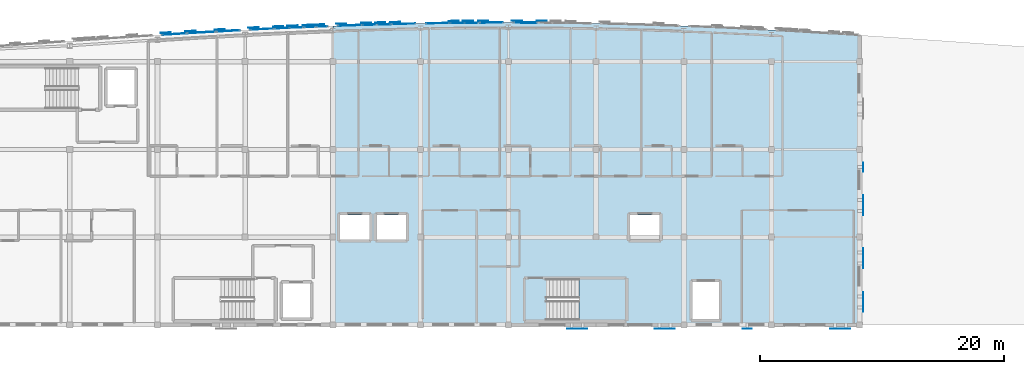
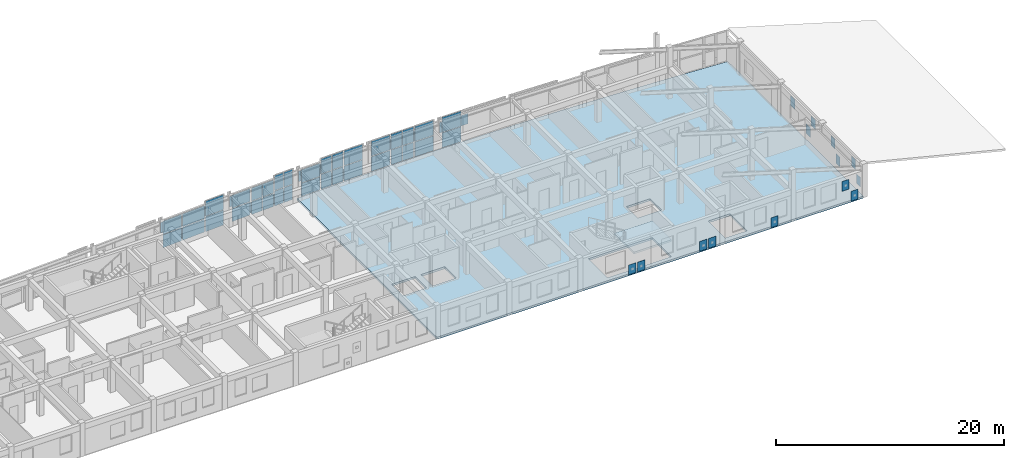
# One storey, part 23 of 34: 65 plates, 2 slabs, 14 elements without a shape of their own.
"""IFC4 building model written with IfcOpenShell, lengths in metres."""

from ifc_helpers import new_model, si_unit, direction, frame, origin, origin_2d, place, context, subcontext, project, spatial, polyline, rectangle, outline, extrude, material, layer, layer_set, type_object, element, aggregate, save


model = new_model("IFC4")

# Units and contexts
model_context = context("Model", 3, precision=1e-05, world=origin(), true_north=direction((0.0, 1.0)))
body_context = subcontext(model_context, "Body", "Model", "MODEL_VIEW")
ifc_project = project(units=[si_unit("LENGTHUNIT", "METRE"), si_unit("AREAUNIT", "SQUARE_METRE"), si_unit("VOLUMEUNIT", "CUBIC_METRE"), si_unit("PLANEANGLEUNIT", "RADIAN"), si_unit("MASSUNIT", "GRAM", prefix="KILO")], contexts=[model_context])

# Site, building, storey
site_placement = place(None, origin())
site = spatial("IfcSite", under=ifc_project, at=site_placement, CompositionType="ELEMENT")
building_placement = place(site_placement, origin())
building = spatial("IfcBuilding", under=site, at=building_placement, Name="Carrowvane Square Congress Hotel", CompositionType="ELEMENT")
storey_placement = place(building_placement, frame((0.0, 0.0, 40.800048828125)))
storey = spatial("IfcBuildingStorey", under=building, at=storey_placement, Name="L10", CompositionType="ELEMENT", Elevation=40.800048828125)

# Curtain wall, plates
ifc_material_1 = material(Name="Anodised aluminium", Category="aluminium")
ifc_layer_1 = layer(ifc_material_1, 0.221923828125)
ifc_layer_set_1 = layer_set([ifc_layer_1], Name="Anodised aluminium")
curtain_wall_type_1 = type_object("IfcCurtainWallType", Name="CW-SYS-6", PredefinedType="NOTDEFINED", material=ifc_layer_set_1)
curtain_wall_1_placement = place(storey_placement, origin())
curtain_wall_1 = element("IfcCurtainWall", 1, at=curtain_wall_1_placement, inside=storey, type_object=curtain_wall_type_1, Name="L10 unitised curtain wall 565", PredefinedType="NOTDEFINED")
ifc_material_2 = material(Name="Double-glazed low-E glass", Category="glass")
ifc_layer_2 = layer(ifc_material_2, 0.028076171875)
ifc_layer_set_2 = layer_set([ifc_layer_2], Name="Double-glazed low-E glass")
plate_type_1 = type_object("IfcPlateType", Name="CW-PAN-1", PredefinedType="CURTAIN_PANEL", material=ifc_layer_set_2)
plate_1_placement = place(storey_placement, frame((77.7822265625, 116.067138671875, 0.06982421875), z_axis=(0.0, 0.0, 1.0), x_axis=(0.998732955299, 0.050323791596, 0.0)))
plate_1 = element("IfcPlate", 2, at=plate_1_placement, type_object=plate_type_1, Name="CW-6 panel 1.1", PredefinedType="CURTAIN_PANEL", context=body_context, shape_type="SweptSolid", body=[
    extrude(rectangle(XDim=1.89794921875, YDim=0.028076171875, at=origin_2d()), origin(), (0.0, 0.0, 1.0), 1.372802734375),
])
plate_2_placement = place(storey_placement, frame((77.7822265625, 116.067138671875, 1.5126953125), z_axis=(0.0, 0.0, 1.0), x_axis=(0.998732955299, 0.050323791596, 0.0)))
plate_2 = element("IfcPlate", 3, at=plate_2_placement, type_object=plate_type_1, Name="CW-6 panel 1.2", PredefinedType="CURTAIN_PANEL", context=body_context, shape_type="SweptSolid", body=[
    extrude(rectangle(XDim=1.89794921875, YDim=0.028076171875, at=origin_2d()), origin(), (0.0, 0.0, 1.0), 1.372802734375),
])
aggregate(curtain_wall_1, [plate_1, plate_2])

ifc_material_3 = material(Name="Anodised aluminium", Category="aluminium")
ifc_layer_3 = layer(ifc_material_3, 0.18603515625)
ifc_layer_set_3 = layer_set([ifc_layer_3], Name="Anodised aluminium")
curtain_wall_type_2 = type_object("IfcCurtainWallType", Name="CW-SYS-3", PredefinedType="NOTDEFINED", material=ifc_layer_set_3)
curtain_wall_2_placement = place(storey_placement, origin())
curtain_wall_2 = element("IfcCurtainWall", 4, at=curtain_wall_2_placement, inside=storey, type_object=curtain_wall_type_2, Name="L10 unitised curtain wall 570", PredefinedType="NOTDEFINED")
plate_3_placement = place(storey_placement, frame((89.40380859375, 116.498291015625, 0.059814453125), z_axis=(0.0, 0.0, 1.0), x_axis=(0.99974644475, 0.022517686606, 0.0)))
plate_3 = element("IfcPlate", 5, at=plate_3_placement, type_object=plate_type_1, Name="CW-3 panel 1.1", PredefinedType="CURTAIN_PANEL", context=body_context, shape_type="SweptSolid", body=[
    extrude(rectangle(XDim=1.88818359375, YDim=0.028076171875, at=origin_2d()), origin(), (0.0, 0.0, 1.0), 1.60009765625),
])
plate_4_placement = place(storey_placement, frame((89.40380859375, 116.498291015625, 1.719970703125), z_axis=(0.0, 0.0, 1.0), x_axis=(0.99974644475, 0.022517686606, 0.0)))
plate_4 = element("IfcPlate", 6, at=plate_4_placement, type_object=plate_type_1, Name="CW-3 panel 1.2", PredefinedType="CURTAIN_PANEL", context=body_context, shape_type="SweptSolid", body=[
    extrude(rectangle(XDim=1.88818359375, YDim=0.028076171875, at=origin_2d()), origin(), (0.0, 0.0, 1.0), 1.60009765625),
])
aggregate(curtain_wall_2, [plate_3, plate_4])

ifc_material_4 = material(Name="Anodised aluminium", Category="aluminium")
ifc_layer_4 = layer(ifc_material_4, 0.23388671875)
ifc_layer_set_4 = layer_set([ifc_layer_4], Name="Anodised aluminium")
curtain_wall_type_3 = type_object("IfcCurtainWallType", Name="CW-SYS-7", PredefinedType="NOTDEFINED", material=ifc_layer_set_4)
curtain_wall_3_placement = place(storey_placement, origin())
curtain_wall_3 = element("IfcCurtainWall", 7, at=curtain_wall_3_placement, inside=storey, type_object=curtain_wall_type_3, Name="L10 unitised curtain wall 566", PredefinedType="NOTDEFINED")
ifc_material_5 = material(Name="Double-glazed low-E glass", Category="glass")
ifc_layer_5 = layer(ifc_material_5, 0.031982421875)
ifc_layer_set_5 = layer_set([ifc_layer_5], Name="Double-glazed low-E glass")
plate_type_2 = type_object("IfcPlateType", Name="CW-PAN-2", PredefinedType="CURTAIN_PANEL", material=ifc_layer_set_5)
plate_5_placement = place(storey_placement, frame((79.4150390625, 116.146484375, 0.06005859375), z_axis=(0.0, 0.0, 1.0), x_axis=(0.998968385726, 0.045411059449, 0.0)))
plate_5 = element("IfcPlate", 8, at=plate_5_placement, type_object=plate_type_2, Name="CW-7 panel 1.1", PredefinedType="CURTAIN_PANEL", context=body_context, shape_type="SweptSolid", body=[
    extrude(rectangle(XDim=1.111328125, YDim=0.031982421875, at=origin_2d()), origin(), (0.0, 0.0, 1.0), 1.3876953125),
])
plate_6_placement = place(storey_placement, frame((79.4150390625, 116.146484375, 1.5078125), z_axis=(0.0, 0.0, 1.0), x_axis=(0.998968385726, 0.045411059449, 0.0)))
plate_6 = element("IfcPlate", 9, at=plate_6_placement, type_object=plate_type_2, Name="CW-7 panel 1.2", PredefinedType="CURTAIN_PANEL", context=body_context, shape_type="SweptSolid", body=[
    extrude(rectangle(XDim=1.111328125, YDim=0.031982421875, at=origin_2d()), origin(), (0.0, 0.0, 1.0), 1.3876953125),
])
plate_7_placement = place(storey_placement, frame((80.5849609375, 116.19970703125, 0.06005859375), z_axis=(0.0, 0.0, 1.0), x_axis=(0.998968385726, 0.045411059449, 0.0)))
plate_7 = element("IfcPlate", 10, at=plate_7_placement, type_object=plate_type_2, Name="CW-7 panel 2.1", PredefinedType="CURTAIN_PANEL", context=body_context, shape_type="SweptSolid", body=[
    extrude(rectangle(XDim=1.111328125, YDim=0.031982421875, at=origin_2d()), origin(), (0.0, 0.0, 1.0), 1.3876953125),
])
plate_8_placement = place(storey_placement, frame((80.5849609375, 116.19970703125, 1.5078125), z_axis=(0.0, 0.0, 1.0), x_axis=(0.998968385726, 0.045411059449, 0.0)))
plate_8 = element("IfcPlate", 11, at=plate_8_placement, type_object=plate_type_2, Name="CW-7 panel 2.2", PredefinedType="CURTAIN_PANEL", context=body_context, shape_type="SweptSolid", body=[
    extrude(rectangle(XDim=1.111328125, YDim=0.031982421875, at=origin_2d()), origin(), (0.0, 0.0, 1.0), 1.3876953125),
])
aggregate(curtain_wall_3, [plate_5, plate_6, plate_7, plate_8])

ifc_material_6 = material(Name="Anodised aluminium", Category="aluminium")
ifc_layer_6 = layer(ifc_material_6, 0.197998046875)
ifc_layer_set_6 = layer_set([ifc_layer_6], Name="Anodised aluminium")
curtain_wall_type_4 = type_object("IfcCurtainWallType", Name="CW-SYS-4", PredefinedType="NOTDEFINED", material=ifc_layer_set_6)
curtain_wall_4_placement = place(storey_placement, origin())
curtain_wall_4 = element("IfcCurtainWall", 12, at=curtain_wall_4_placement, inside=storey, type_object=curtain_wall_type_4, Name="L10 unitised curtain wall 571", PredefinedType="NOTDEFINED")
plate_9_placement = place(storey_placement, frame((92.188720703125, 116.55224609375, 0.070068359375), z_axis=(0.0, 0.0, 1.0), x_axis=(0.99986851233, 0.016215981364, 0.0)))
plate_9 = element("IfcPlate", 13, at=plate_9_placement, type_object=plate_type_2, Name="CW-4 panel 1.1", PredefinedType="CURTAIN_PANEL", context=body_context, shape_type="SweptSolid", body=[
    extrude(rectangle(XDim=1.8828125, YDim=0.031982421875, at=origin_2d()), origin(), (0.0, 0.0, 1.0), 1.5849609375),
])
plate_10_placement = place(storey_placement, frame((92.188720703125, 116.55224609375, 1.724853515625), z_axis=(0.0, 0.0, 1.0), x_axis=(0.99986851233, 0.016215981364, 0.0)))
plate_10 = element("IfcPlate", 14, at=plate_10_placement, type_object=plate_type_2, Name="CW-4 panel 1.2", PredefinedType="CURTAIN_PANEL", context=body_context, shape_type="SweptSolid", body=[
    extrude(rectangle(XDim=1.8828125, YDim=0.031982421875, at=origin_2d()), origin(), (0.0, 0.0, 1.0), 1.5849609375),
])
aggregate(curtain_wall_4, [plate_9, plate_10])

curtain_wall_5_placement = place(storey_placement, origin())
curtain_wall_5 = element("IfcCurtainWall", 15, at=curtain_wall_5_placement, inside=storey, type_object=curtain_wall_type_2, Name="L10 unitised curtain wall 562", PredefinedType="NOTDEFINED")
ifc_material_7 = material(Name="Double-glazed low-E glass", Category="glass")
ifc_layer_7 = layer(ifc_material_7, 0.035888671875)
ifc_layer_set_7 = layer_set([ifc_layer_7], Name="Double-glazed low-E glass")
plate_type_3 = type_object("IfcPlateType", Name="CW-PAN-3", PredefinedType="CURTAIN_PANEL", material=ifc_layer_set_7)
plate_11_placement = place(storey_placement, frame((70.580078125, 115.66064453125, 0.06005859375), z_axis=(0.0, 0.0, 1.0), x_axis=(0.998051378998, 0.062397474952, 0.0)))
plate_11 = element("IfcPlate", 16, at=plate_11_placement, type_object=plate_type_3, Name="CW-3 panel 1.1", PredefinedType="CURTAIN_PANEL", context=body_context, shape_type="SweptSolid", body=[
    extrude(rectangle(XDim=1.924072265625, YDim=0.035888671875, at=origin_2d()), origin(), (0.0, 0.0, 1.0), 1.3876953125),
])
plate_12_placement = place(storey_placement, frame((70.580078125, 115.66064453125, 1.5078125), z_axis=(0.0, 0.0, 1.0), x_axis=(0.998051378998, 0.062397474952, 0.0)))
plate_12 = element("IfcPlate", 17, at=plate_12_placement, type_object=plate_type_3, Name="CW-3 panel 1.2", PredefinedType="CURTAIN_PANEL", context=body_context, shape_type="SweptSolid", body=[
    extrude(rectangle(XDim=1.924072265625, YDim=0.035888671875, at=origin_2d()), origin(), (0.0, 0.0, 1.0), 1.3876953125),
])
aggregate(curtain_wall_5, [plate_11, plate_12])

ifc_material_8 = material(Name="Anodised aluminium", Category="aluminium")
ifc_layer_8 = layer(ifc_material_8, 0.24609375)
ifc_layer_set_8 = layer_set([ifc_layer_8], Name="Anodised aluminium")
curtain_wall_type_5 = type_object("IfcCurtainWallType", Name="CW-SYS-8", PredefinedType="NOTDEFINED", material=ifc_layer_set_8)
curtain_wall_6_placement = place(storey_placement, origin())
curtain_wall_6 = element("IfcCurtainWall", 18, at=curtain_wall_6_placement, inside=storey, type_object=curtain_wall_type_5, Name="L10 unitised curtain wall 567", PredefinedType="NOTDEFINED")
plate_13_placement = place(storey_placement, frame((81.7177734375, 116.248291015625, 0.070068359375), z_axis=(0.0, 0.0, 1.0), x_axis=(0.999194236464, 0.040135742379, 0.0)))
plate_13 = element("IfcPlate", 19, at=plate_13_placement, type_object=plate_type_3, Name="CW-8 panel 1.1", PredefinedType="CURTAIN_PANEL", context=body_context, shape_type="SweptSolid", body=[
    extrude(rectangle(XDim=0.896240234375, YDim=0.035888671875, at=origin_2d()), origin(), (0.0, 0.0, 1.0), 1.5849609375),
])
plate_14_placement = place(storey_placement, frame((81.7177734375, 116.248291015625, 1.724853515625), z_axis=(0.0, 0.0, 1.0), x_axis=(0.999194236464, 0.040135742379, 0.0)))
plate_14 = element("IfcPlate", 20, at=plate_14_placement, type_object=plate_type_3, Name="CW-8 panel 1.2", PredefinedType="CURTAIN_PANEL", context=body_context, shape_type="SweptSolid", body=[
    extrude(rectangle(XDim=0.896240234375, YDim=0.035888671875, at=origin_2d()), origin(), (0.0, 0.0, 1.0), 1.5849609375),
])
plate_15_placement = place(storey_placement, frame((82.683349609375, 116.287109375, 0.070068359375), z_axis=(0.0, 0.0, 1.0), x_axis=(0.999194236464, 0.040135742379, 0.0)))
plate_15 = element("IfcPlate", 21, at=plate_15_placement, type_object=plate_type_3, Name="CW-8 panel 2.1", PredefinedType="CURTAIN_PANEL", context=body_context, shape_type="SweptSolid", body=[
    extrude(rectangle(XDim=0.896240234375, YDim=0.035888671875, at=origin_2d()), origin(), (0.0, 0.0, 1.0), 1.5849609375),
])
plate_16_placement = place(storey_placement, frame((82.683349609375, 116.287109375, 1.724853515625), z_axis=(0.0, 0.0, 1.0), x_axis=(0.999194236464, 0.040135742379, 0.0)))
plate_16 = element("IfcPlate", 22, at=plate_16_placement, type_object=plate_type_3, Name="CW-8 panel 2.2", PredefinedType="CURTAIN_PANEL", context=body_context, shape_type="SweptSolid", body=[
    extrude(rectangle(XDim=0.896240234375, YDim=0.035888671875, at=origin_2d()), origin(), (0.0, 0.0, 1.0), 1.5849609375),
])
aggregate(curtain_wall_6, [plate_13, plate_14, plate_15, plate_16])

ifc_material_9 = material(Name="Anodised aluminium", Category="aluminium")
ifc_layer_9 = layer(ifc_material_9, 0.2099609375)
ifc_layer_set_9 = layer_set([ifc_layer_9], Name="Anodised aluminium")
curtain_wall_type_6 = type_object("IfcCurtainWallType", Name="CW-SYS-5", PredefinedType="NOTDEFINED", material=ifc_layer_set_9)
curtain_wall_7_placement = place(storey_placement, origin())
curtain_wall_7 = element("IfcCurtainWall", 23, at=curtain_wall_7_placement, inside=storey, type_object=curtain_wall_type_6, Name="L10 unitised curtain wall 572", PredefinedType="NOTDEFINED")
plate_17_placement = place(storey_placement, frame((93.81494140625, 116.57470703125, 0.059814453125), z_axis=(0.0, 0.0, 1.0), x_axis=(0.999952146231, 0.009782905924, 0.0)))
plate_17 = element("IfcPlate", 24, at=plate_17_placement, type_object=plate_type_3, Name="CW-5 panel 1.1", PredefinedType="CURTAIN_PANEL", context=body_context, shape_type="SweptSolid", body=[
    extrude(rectangle(XDim=1.110107421875, YDim=0.035888671875, at=origin_2d()), origin(), (0.0, 0.0, 1.0), 1.60009765625),
])
plate_18_placement = place(storey_placement, frame((93.81494140625, 116.57470703125, 1.719970703125), z_axis=(0.0, 0.0, 1.0), x_axis=(0.999952146231, 0.009782905924, 0.0)))
plate_18 = element("IfcPlate", 25, at=plate_18_placement, type_object=plate_type_3, Name="CW-5 panel 1.2", PredefinedType="CURTAIN_PANEL", context=body_context, shape_type="SweptSolid", body=[
    extrude(rectangle(XDim=1.110107421875, YDim=0.035888671875, at=origin_2d()), origin(), (0.0, 0.0, 1.0), 1.60009765625),
])
plate_19_placement = place(storey_placement, frame((94.985107421875, 116.586181640625, 0.059814453125), z_axis=(0.0, 0.0, 1.0), x_axis=(0.999952146231, 0.009782905924, 0.0)))
plate_19 = element("IfcPlate", 26, at=plate_19_placement, type_object=plate_type_3, Name="CW-5 panel 2.1", PredefinedType="CURTAIN_PANEL", context=body_context, shape_type="SweptSolid", body=[
    extrude(rectangle(XDim=1.110107421875, YDim=0.035888671875, at=origin_2d()), origin(), (0.0, 0.0, 1.0), 1.60009765625),
])
plate_20_placement = place(storey_placement, frame((94.985107421875, 116.586181640625, 1.719970703125), z_axis=(0.0, 0.0, 1.0), x_axis=(0.999952146231, 0.009782905924, 0.0)))
plate_20 = element("IfcPlate", 27, at=plate_20_placement, type_object=plate_type_3, Name="CW-5 panel 2.2", PredefinedType="CURTAIN_PANEL", context=body_context, shape_type="SweptSolid", body=[
    extrude(rectangle(XDim=1.110107421875, YDim=0.035888671875, at=origin_2d()), origin(), (0.0, 0.0, 1.0), 1.60009765625),
])
aggregate(curtain_wall_7, [plate_17, plate_18, plate_19, plate_20])

curtain_wall_8_placement = place(storey_placement, origin())
curtain_wall_8 = element("IfcCurtainWall", 28, at=curtain_wall_8_placement, inside=storey, type_object=curtain_wall_type_4, Name="L10 unitised curtain wall 563", PredefinedType="NOTDEFINED")
ifc_material_10 = material(Name="Double-glazed low-E glass", Category="glass")
ifc_layer_10 = layer(ifc_material_10, 0.0419921875)
ifc_layer_set_10 = layer_set([ifc_layer_10], Name="Double-glazed low-E glass")
plate_type_4 = type_object("IfcPlateType", Name="CW-PAN-4", PredefinedType="CURTAIN_PANEL", material=ifc_layer_set_10)
plate_21_placement = place(storey_placement, frame((72.800048828125, 115.795166015625, 0.06982421875), z_axis=(0.0, 0.0, 1.0), x_axis=(0.998266763162, 0.058851249486, 0.0)))
plate_21 = element("IfcPlate", 29, at=plate_21_placement, type_object=plate_type_4, Name="CW-4 panel 1.1", PredefinedType="CURTAIN_PANEL", context=body_context, shape_type="SweptSolid", body=[
    extrude(rectangle(XDim=2.26416015625, YDim=0.0419921875, at=origin_2d()), origin(), (0.0, 0.0, 1.0), 1.372802734375),
])
plate_22_placement = place(storey_placement, frame((72.800048828125, 115.795166015625, 1.5126953125), z_axis=(0.0, 0.0, 1.0), x_axis=(0.998266763162, 0.058851249486, 0.0)))
plate_22 = element("IfcPlate", 30, at=plate_22_placement, type_object=plate_type_4, Name="CW-4 panel 1.2", PredefinedType="CURTAIN_PANEL", context=body_context, shape_type="SweptSolid", body=[
    extrude(rectangle(XDim=2.26416015625, YDim=0.0419921875, at=origin_2d()), origin(), (0.0, 0.0, 1.0), 1.372802734375),
])
aggregate(curtain_wall_8, [plate_21, plate_22])

ifc_material_11 = material(Name="Anodised aluminium", Category="aluminium")
ifc_layer_11 = layer(ifc_material_11, 0.162109375)
ifc_layer_set_11 = layer_set([ifc_layer_11], Name="Anodised aluminium")
curtain_wall_type_7 = type_object("IfcCurtainWallType", Name="CW-SYS-1", PredefinedType="NOTDEFINED", material=ifc_layer_set_11)
curtain_wall_9_placement = place(storey_placement, origin())
curtain_wall_9 = element("IfcCurtainWall", 31, at=curtain_wall_9_placement, inside=storey, type_object=curtain_wall_type_7, Name="L10 unitised curtain wall 568", PredefinedType="NOTDEFINED")
plate_23_placement = place(storey_placement, frame((84.9853515625, 116.371826171875, 0.06005859375), z_axis=(0.0, 0.0, 1.0), x_axis=(0.999403774749, 0.034526729036, 0.0)))
plate_23 = element("IfcPlate", 32, at=plate_23_placement, type_object=plate_type_4, Name="CW-1 panel 1.1", PredefinedType="CURTAIN_PANEL", context=body_context, shape_type="SweptSolid", body=[
    extrude(rectangle(XDim=1.91064453125, YDim=0.0419921875, at=origin_2d()), origin(), (0.0, 0.0, 1.0), 1.3876953125),
])
plate_24_placement = place(storey_placement, frame((84.9853515625, 116.371826171875, 1.5078125), z_axis=(0.0, 0.0, 1.0), x_axis=(0.999403774749, 0.034526729036, 0.0)))
plate_24 = element("IfcPlate", 33, at=plate_24_placement, type_object=plate_type_4, Name="CW-1 panel 1.2", PredefinedType="CURTAIN_PANEL", context=body_context, shape_type="SweptSolid", body=[
    extrude(rectangle(XDim=1.91064453125, YDim=0.0419921875, at=origin_2d()), origin(), (0.0, 0.0, 1.0), 1.3876953125),
])
aggregate(curtain_wall_9, [plate_23, plate_24])

curtain_wall_10_placement = place(storey_placement, origin())
curtain_wall_10 = element("IfcCurtainWall", 34, at=curtain_wall_10_placement, inside=storey, type_object=curtain_wall_type_1, Name="L10 unitised curtain wall 573", PredefinedType="NOTDEFINED")
plate_25_placement = place(storey_placement, frame((96.607666015625, 116.595458984375, 0.070068359375), z_axis=(0.0, 0.0, 1.0), x_axis=(0.999994652529, 0.003270307911, 0.0)))
plate_25 = element("IfcPlate", 35, at=plate_25_placement, type_object=plate_type_4, Name="CW-6 panel 1.1", PredefinedType="CURTAIN_PANEL", context=body_context, shape_type="SweptSolid", body=[
    extrude(rectangle(XDim=1.875, YDim=0.0419921875, at=origin_2d()), origin(), (0.0, 0.0, 1.0), 1.5849609375),
])
plate_26_placement = place(storey_placement, frame((96.607666015625, 116.595458984375, 1.724853515625), z_axis=(0.0, 0.0, 1.0), x_axis=(0.999994652529, 0.003270307911, 0.0)))
plate_26 = element("IfcPlate", 36, at=plate_26_placement, type_object=plate_type_4, Name="CW-6 panel 1.2", PredefinedType="CURTAIN_PANEL", context=body_context, shape_type="SweptSolid", body=[
    extrude(rectangle(XDim=1.875, YDim=0.0419921875, at=origin_2d()), origin(), (0.0, 0.0, 1.0), 1.5849609375),
])
aggregate(curtain_wall_10, [plate_25, plate_26])

curtain_wall_11_placement = place(storey_placement, origin())
curtain_wall_11 = element("IfcCurtainWall", 37, at=curtain_wall_11_placement, inside=storey, type_object=curtain_wall_type_6, Name="L10 unitised curtain wall 564", PredefinedType="NOTDEFINED")
ifc_material_12 = material(Name="Double-glazed low-E glass", Category="glass")
ifc_layer_12 = layer(ifc_material_12, 0.048095703125)
ifc_layer_set_12 = layer_set([ifc_layer_12], Name="Double-glazed low-E glass")
plate_type_5 = type_object("IfcPlateType", Name="CW-PAN-5", PredefinedType="CURTAIN_PANEL", material=ifc_layer_set_12)
plate_27_placement = place(storey_placement, frame((74.997802734375, 115.920654296875, 0.059814453125), z_axis=(0.0, 0.0, 1.0), x_axis=(0.998496473856, 0.054815980317, 0.0)))
plate_27 = element("IfcPlate", 38, at=plate_27_placement, type_object=plate_type_5, Name="CW-5 panel 1.1", PredefinedType="CURTAIN_PANEL", context=body_context, shape_type="SweptSolid", body=[
    extrude(rectangle(XDim=1.87841796875, YDim=0.048095703125, at=origin_2d()), origin(), (0.0, 0.0, 1.0), 1.60009765625),
])
plate_28_placement = place(storey_placement, frame((74.997802734375, 115.920654296875, 1.719970703125), z_axis=(0.0, 0.0, 1.0), x_axis=(0.998496473856, 0.054815980317, 0.0)))
plate_28 = element("IfcPlate", 39, at=plate_28_placement, type_object=plate_type_5, Name="CW-5 panel 1.2", PredefinedType="CURTAIN_PANEL", context=body_context, shape_type="SweptSolid", body=[
    extrude(rectangle(XDim=1.87841796875, YDim=0.048095703125, at=origin_2d()), origin(), (0.0, 0.0, 1.0), 1.60009765625),
])
aggregate(curtain_wall_11, [plate_27, plate_28])

ifc_material_13 = material(Name="Anodised aluminium", Category="aluminium")
ifc_layer_13 = layer(ifc_material_13, 0.174072265625)
ifc_layer_set_13 = layer_set([ifc_layer_13], Name="Anodised aluminium")
curtain_wall_type_8 = type_object("IfcCurtainWallType", Name="CW-SYS-2", PredefinedType="NOTDEFINED", material=ifc_layer_set_13)
curtain_wall_12_placement = place(storey_placement, origin())
curtain_wall_12 = element("IfcCurtainWall", 40, at=curtain_wall_12_placement, inside=storey, type_object=curtain_wall_type_8, Name="L10 unitised curtain wall 569", PredefinedType="NOTDEFINED")
plate_29_placement = place(storey_placement, frame((86.617431640625, 116.424560546875, 0.070068359375), z_axis=(0.0, 0.0, 1.0), x_axis=(0.999589848065, 0.028638010501, 0.0)))
plate_29 = element("IfcPlate", 41, at=plate_29_placement, type_object=plate_type_5, Name="CW-2 panel 1.1", PredefinedType="CURTAIN_PANEL", context=body_context, shape_type="SweptSolid", body=[
    extrude(rectangle(XDim=1.095458984375, YDim=0.048095703125, at=origin_2d()), origin(), (0.0, 0.0, 1.0), 1.5849609375),
])
plate_30_placement = place(storey_placement, frame((86.617431640625, 116.424560546875, 1.724853515625), z_axis=(0.0, 0.0, 1.0), x_axis=(0.999589848065, 0.028638010501, 0.0)))
plate_30 = element("IfcPlate", 42, at=plate_30_placement, type_object=plate_type_5, Name="CW-2 panel 1.2", PredefinedType="CURTAIN_PANEL", context=body_context, shape_type="SweptSolid", body=[
    extrude(rectangle(XDim=1.095458984375, YDim=0.048095703125, at=origin_2d()), origin(), (0.0, 0.0, 1.0), 1.5849609375),
])
plate_31_placement = place(storey_placement, frame((87.782470703125, 116.4580078125, 0.070068359375), z_axis=(0.0, 0.0, 1.0), x_axis=(0.999589848065, 0.028638010501, 0.0)))
plate_31 = element("IfcPlate", 43, at=plate_31_placement, type_object=plate_type_5, Name="CW-2 panel 2.1", PredefinedType="CURTAIN_PANEL", context=body_context, shape_type="SweptSolid", body=[
    extrude(rectangle(XDim=1.095458984375, YDim=0.048095703125, at=origin_2d()), origin(), (0.0, 0.0, 1.0), 1.5849609375),
])
plate_32_placement = place(storey_placement, frame((87.782470703125, 116.4580078125, 1.724853515625), z_axis=(0.0, 0.0, 1.0), x_axis=(0.999589848065, 0.028638010501, 0.0)))
plate_32 = element("IfcPlate", 44, at=plate_32_placement, type_object=plate_type_5, Name="CW-2 panel 2.2", PredefinedType="CURTAIN_PANEL", context=body_context, shape_type="SweptSolid", body=[
    extrude(rectangle(XDim=1.095458984375, YDim=0.048095703125, at=origin_2d()), origin(), (0.0, 0.0, 1.0), 1.5849609375),
])
aggregate(curtain_wall_12, [plate_29, plate_30, plate_31, plate_32])

curtain_wall_13_placement = place(storey_placement, origin())
curtain_wall_13 = element("IfcCurtainWall", 45, at=curtain_wall_13_placement, inside=storey, type_object=curtain_wall_type_3, Name="L10 unitised curtain wall 574", PredefinedType="NOTDEFINED")
plate_33_placement = place(storey_placement, frame((99.392333984375, 116.595458984375, 0.059814453125), z_axis=(0.0, 0.0, 1.0), x_axis=(0.999994652529, -0.003270307911, 0.0)))
plate_33 = element("IfcPlate", 46, at=plate_33_placement, type_object=plate_type_5, Name="CW-7 panel 1.1", PredefinedType="CURTAIN_PANEL", context=body_context, shape_type="SweptSolid", body=[
    extrude(rectangle(XDim=1.89501953125, YDim=0.048095703125, at=origin_2d()), origin(), (0.0, 0.0, 1.0), 1.60009765625),
])
plate_34_placement = place(storey_placement, frame((99.392333984375, 116.595458984375, 1.719970703125), z_axis=(0.0, 0.0, 1.0), x_axis=(0.999994652529, -0.003270307911, 0.0)))
plate_34 = element("IfcPlate", 47, at=plate_34_placement, type_object=plate_type_5, Name="CW-7 panel 1.2", PredefinedType="CURTAIN_PANEL", context=body_context, shape_type="SweptSolid", body=[
    extrude(rectangle(XDim=1.89501953125, YDim=0.048095703125, at=origin_2d()), origin(), (0.0, 0.0, 1.0), 1.60009765625),
])
aggregate(curtain_wall_13, [plate_33, plate_34])

# Plates
ifc_material_14 = material(Name="Champagne-gold anodised aluminium", Category="aluminium")
ifc_layer_14 = layer(ifc_material_14, 0.011962890625)
ifc_layer_set_14 = layer_set([ifc_layer_14], Name="Champagne-gold anodised aluminium")
plate_type_6 = type_object("IfcPlateType", Name="PLT-PIX-GOLD12", PredefinedType="SHEET", material=ifc_layer_set_14)
for number, where, z_axis, x_axis, name in (
    (48, (71.91455078125, 115.9091796875, 0.119873046875), (0.0, 0.0, 1.0), (0.998266695506, 0.05885239709, 0.0), "Champagne-gold pixel screen plate 945"),
    (49, (77.08056640625, 116.197998046875, 1.58984375), (0.0, 0.0, 1.0), (0.998733066647, 0.050321581706, 0.0), "Champagne-gold pixel screen plate 947"),
    (50, (81.517822265625, 116.406494140625, 0.119873046875), (0.0, 0.0, 1.0), (0.999194294234, 0.040134304148, 0.0), "Champagne-gold pixel screen plate 950"),
    (51, (82.4833984375, 116.4453125, 0.119873046875), (0.0, 0.0, 1.0), (0.999194294234, 0.040134304148, 0.0), "Champagne-gold pixel screen plate 951"),
    (52, (86.31982421875, 116.582275390625, 1.58984375), (0.0, 0.0, 1.0), (0.999589805464, 0.028639497417, 0.0), "Champagne-gold pixel screen plate 953"),
    (53, (87.48486328125, 116.615478515625, 0.119873046875), (0.0, 0.0, 1.0), (0.999589805464, 0.028639497417, 0.0), "Champagne-gold pixel screen plate 954"),
    (54, (95.92431640625, 116.75927734375, 1.58984375), (0.0, 0.0, 1.0), (0.999994654955, 0.003269565853, 0.0), "Champagne-gold pixel screen plate 958"),
    (55, (100.726318359375, 116.7548828125, 1.58984375), (0.0, 0.0, 1.0), (0.999952150705, -0.009782448565, 0.0), "Champagne-gold pixel screen plate 960"),
):
    element("IfcPlate", number, at=place(storey_placement, frame(where, z_axis=z_axis, x_axis=x_axis)), inside=storey, type_object=plate_type_6, Name=name, PredefinedType="SHEET", context=body_context, shape_type="SweptSolid", body=[
        extrude(rectangle(XDim=0.827880859375, YDim=0.011962890625, at=origin_2d()), origin(), (0.0, 0.0, 1.0), 1.1201171875),
    ])
for number, where, z_axis, x_axis, name in (
    (56, (127.131103515625, 97.724853515625, 1.52490234375), (0.0, 0.0, 1.0), (0.0, -1.0, 0.0), "Champagne-gold pixel screen plate S-978"),
    (57, (127.131103515625, 96.82470703125, 0.15478515625), (0.0, 0.0, 1.0), (0.0, -1.0, 0.0), "Champagne-gold pixel screen plate S-979"),
    (58, (127.131103515625, 94.124755859375, 1.52490234375), (0.0, 0.0, 1.0), (0.0, -1.0, 0.0), "Champagne-gold pixel screen plate S-980"),
    (59, (127.131103515625, 93.224853515625, 0.15478515625), (0.0, 0.0, 1.0), (0.0, -1.0, 0.0), "Champagne-gold pixel screen plate S-981"),
    (60, (117.60009765625, 91.468994140625, 0.15478515625), (0.0, 0.0, 1.0), (-1.0, 0.0, 0.0), "Champagne-gold pixel screen plate S-984"),
    (61, (104.10009765625, 91.468994140625, 0.15478515625), (0.0, 0.0, 1.0), (-1.0, 0.0, 0.0), "Champagne-gold pixel screen plate S-987"),
    (62, (103.199951171875, 91.468994140625, 0.15478515625), (0.0, 0.0, 1.0), (-1.0, 0.0, 0.0), "Champagne-gold pixel screen plate S-988"),
):
    element("IfcPlate", number, at=place(storey_placement, frame(where, z_axis=z_axis, x_axis=x_axis)), inside=storey, type_object=plate_type_6, Name=name, PredefinedType="SHEET", context=body_context, shape_type="SweptSolid", body=[
        extrude(rectangle(XDim=0.738037109375, YDim=0.011962890625, at=origin_2d()), origin(), (0.0, 0.0, 1.0), 1.050048828125),
    ])
ifc_material_15 = material(Name="Champagne-gold anodised aluminium", Category="aluminium")
ifc_layer_15 = layer(ifc_material_15, 0.008056640625)
ifc_layer_set_15 = layer_set([ifc_layer_15], Name="Champagne-gold anodised aluminium")
plate_type_7 = type_object("IfcPlateType", Name="PLT-PIX-GOLD8", PredefinedType="SHEET", material=ifc_layer_set_15)
for number, where, z_axis, x_axis, name in (
    (63, (69.868896484375, 115.780517578125, 1.58984375), (0.0, 0.0, 1.0), (0.998051413269, 0.062396926785, 0.0), "Champagne-gold pixel screen plate 944"),
    (64, (74.310302734375, 116.047119140625, 1.58984375), (0.0, 0.0, 1.0), (0.998496552462, 0.054814548441, 0.0), "Champagne-gold pixel screen plate 946"),
    (65, (79.112060546875, 116.296875, 0.119873046875), (0.0, 0.0, 1.0), (0.998968255262, 0.045413929349, 0.0), "Champagne-gold pixel screen plate 948"),
    (66, (80.281982421875, 116.35009765625, 1.58984375), (0.0, 0.0, 1.0), (0.998968255262, 0.045413929349, 0.0), "Champagne-gold pixel screen plate 949"),
    (67, (84.284423828125, 116.51171875, 1.58984375), (0.0, 0.0, 1.0), (0.999403768784, 0.034526901703, 0.0), "Champagne-gold pixel screen plate 952"),
    (68, (88.716064453125, 116.646728515625, 0.119873046875), (0.0, 0.0, 1.0), (0.999746418061, 0.022518871507, 0.0), "Champagne-gold pixel screen plate 955"),
    (69, (93.51806640625, 116.73583984375, 1.58984375), (0.0, 0.0, 1.0), (0.999952150705, 0.009782448565, 0.0), "Champagne-gold pixel screen plate 956"),
    (70, (94.688232421875, 116.747314453125, 1.58984375), (0.0, 0.0, 1.0), (0.999952150705, 0.009782448565, 0.0), "Champagne-gold pixel screen plate 957"),
    (71, (98.705322265625, 116.76171875, 1.58984375), (0.0, 0.0, 1.0), (0.999994654955, -0.003269565853, 0.0), "Champagne-gold pixel screen plate 959"),
):
    element("IfcPlate", number, at=place(storey_placement, frame(where, z_axis=z_axis, x_axis=x_axis)), inside=storey, type_object=plate_type_7, Name=name, PredefinedType="SHEET", context=body_context, shape_type="SweptSolid", body=[
        extrude(rectangle(XDim=0.827880859375, YDim=0.008056640625, at=origin_2d()), origin(), (0.0, 0.0, 1.0), 1.1201171875),
    ])
for number, where, z_axis, x_axis, name in (
    (72, (127.12890625, 104.74951171875, 1.52490234375), (0.0, 0.0, 1.0), (0.0, -1.0, 0.0), "Champagne-gold pixel screen plate S-975"),
    (73, (127.12890625, 102.049560546875, 0.15478515625), (0.0, 0.0, 1.0), (0.0, -1.0, 0.0), "Champagne-gold pixel screen plate S-976"),
    (74, (127.12890625, 101.1494140625, 1.52490234375), (0.0, 0.0, 1.0), (0.0, -1.0, 0.0), "Champagne-gold pixel screen plate S-977"),
    (75, (125.699951171875, 91.470947265625, 0.15478515625), (0.0, 0.0, 1.0), (-1.0, 0.0, 0.0), "Champagne-gold pixel screen plate S-982"),
    (76, (124.800048828125, 91.470947265625, 1.52490234375), (0.0, 0.0, 1.0), (-1.0, 0.0, 0.0), "Champagne-gold pixel screen plate S-983"),
    (77, (111.300048828125, 91.470947265625, 0.15478515625), (0.0, 0.0, 1.0), (-1.0, 0.0, 0.0), "Champagne-gold pixel screen plate S-985"),
    (78, (110.39990234375, 91.470947265625, 0.15478515625), (0.0, 0.0, 1.0), (-1.0, 0.0, 0.0), "Champagne-gold pixel screen plate S-986"),
):
    element("IfcPlate", number, at=place(storey_placement, frame(where, z_axis=z_axis, x_axis=x_axis)), inside=storey, type_object=plate_type_7, Name=name, PredefinedType="SHEET", context=body_context, shape_type="SweptSolid", body=[
        extrude(rectangle(XDim=0.738037109375, YDim=0.008056640625, at=origin_2d()), origin(), (0.0, 0.0, 1.0), 1.050048828125),
    ])

# Slab
ifc_material_16 = material(Name="Concrete C35/45", Category="concrete")
ifc_layer_16 = layer(ifc_material_16, 0.219970703125)
ifc_layer_set_16 = layer_set([ifc_layer_16], Name="Concrete C35/45")
slab_type_1 = type_object("IfcSlabType", Name="SLB-FLR-220", PredefinedType="FLOOR", material=ifc_layer_set_16)
slab_1_placement = place(storey_placement, frame((0.0, 0.0, -0.219970703125)))
element("IfcSlab", 79, at=slab_1_placement, inside=storey, type_object=slab_type_1, Name="L10 Hotel Wing slab panel 2", PredefinedType="FLOOR", context=body_context, shape_type="SweptSolid", body=[
    extrude(outline(polyline([(83.60009765625, 91.800048828125), (126.800048828125, 91.800048828125), (126.800048828125, 115.57421875), (124.39990234375, 115.724365234375), (122.0, 115.86572265625), (119.60009765625, 115.99755859375), (117.199951171875, 116.118408203125), (114.800048828125, 116.2275390625), (112.39990234375, 116.323974609375), (110.0, 116.406982421875), (107.60009765625, 116.4755859375), (105.199951171875, 116.52978515625), (102.800048828125, 116.568603515625), (100.39990234375, 116.592041015625), (98.0, 116.60009765625), (95.60009765625, 116.592041015625), (93.199951171875, 116.568603515625), (90.800048828125, 116.52978515625), (88.39990234375, 116.4755859375), (86.0, 116.406982421875), (83.60009765625, 116.323974609375), (83.60009765625, 91.800048828125)]), holes=[polyline([(101.1201171875, 92.199951171875), (107.60009765625, 92.199951171875), (107.60009765625, 95.56005859375), (101.1201171875, 95.56005859375), (101.1201171875, 92.199951171875)]), polyline([(84.199951171875, 98.800048828125), (86.60009765625, 98.800048828125), (86.60009765625, 100.800048828125), (84.199951171875, 100.800048828125), (84.199951171875, 98.800048828125)]), polyline([(87.199951171875, 98.800048828125), (89.60009765625, 98.800048828125), (89.60009765625, 100.800048828125), (87.199951171875, 100.800048828125), (87.199951171875, 98.800048828125)]), polyline([(108.0, 98.800048828125), (110.39990234375, 98.800048828125), (110.39990234375, 100.800048828125), (108.0, 100.800048828125), (108.0, 98.800048828125)]), polyline([(113.10009765625, 92.300048828125), (115.300048828125, 92.300048828125), (115.300048828125, 95.300048828125), (113.10009765625, 95.300048828125), (113.10009765625, 92.300048828125)])]), origin(), (0.0, 0.0, 1.0), 0.219970703125),
])

# Stair, slab
ifc_material_17 = material(Name="Concrete C35/45", Category="concrete")
stair_type = type_object("IfcStairType", Name="STR-DOG-02", PredefinedType="HALF_TURN_STAIR", material=ifc_material_17)
stair_placement = place(storey_placement, origin())
stair = element("IfcStair", 80, at=stair_placement, inside=storey, type_object=stair_type, Name="L10 Core C3 East Hotel Escape Stair", PredefinedType="HALF_TURN_STAIR")
ifc_material_18 = material(Name="Concrete C35/45", Category="concrete")
ifc_layer_17 = layer(ifc_material_18, 0.199951171875)
ifc_layer_set_17 = layer_set([ifc_layer_17], Name="Concrete C35/45")
slab_type_2 = type_object("IfcSlabType", Name="SLB-LND-200", PredefinedType="LANDING", material=ifc_layer_set_17)
slab_2_placement = place(storey_placement, frame((0.0, 0.0, 1.599853515625)))
slab_2 = element("IfcSlab", 81, at=slab_2_placement, type_object=slab_type_2, Name="ST3 landing 1", PredefinedType="LANDING", context=body_context, shape_type="SweptSolid", body=[
    extrude(outline(polyline([(103.780029296875, 92.199951171875), (107.60009765625, 92.199951171875), (107.60009765625, 95.56005859375), (103.780029296875, 95.56005859375), (103.780029296875, 92.199951171875)])), origin(), (0.0, 0.0, 1.0), 0.2001953125),
])
aggregate(stair, [slab_2])

save(model, "model.ifc")
